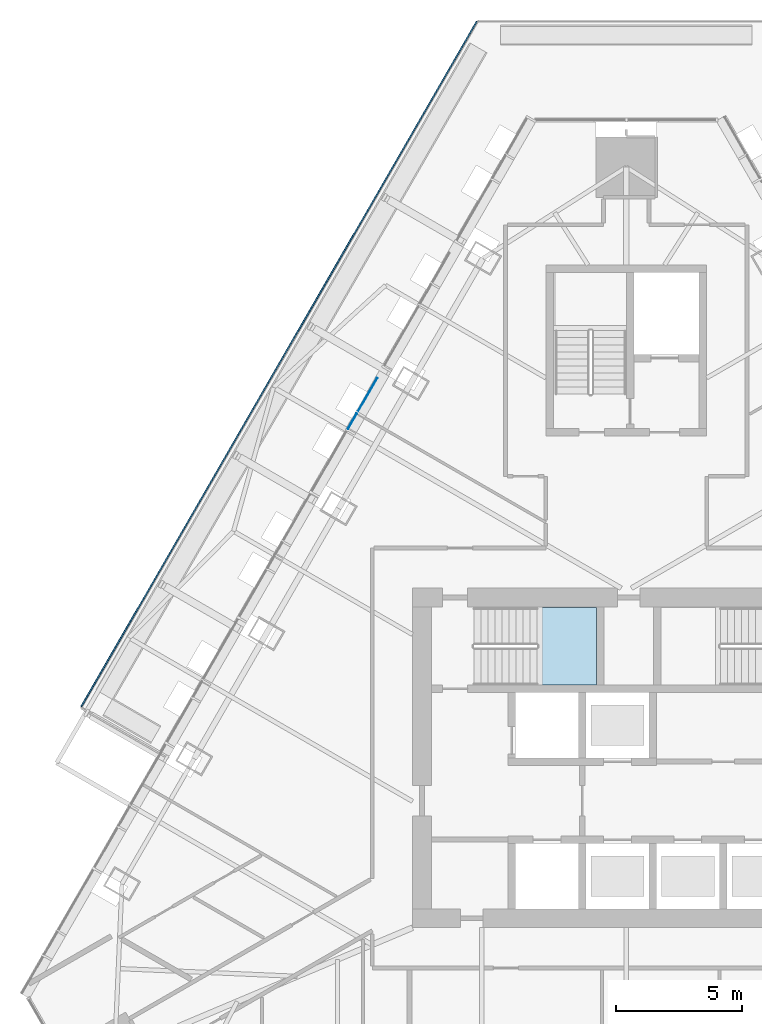
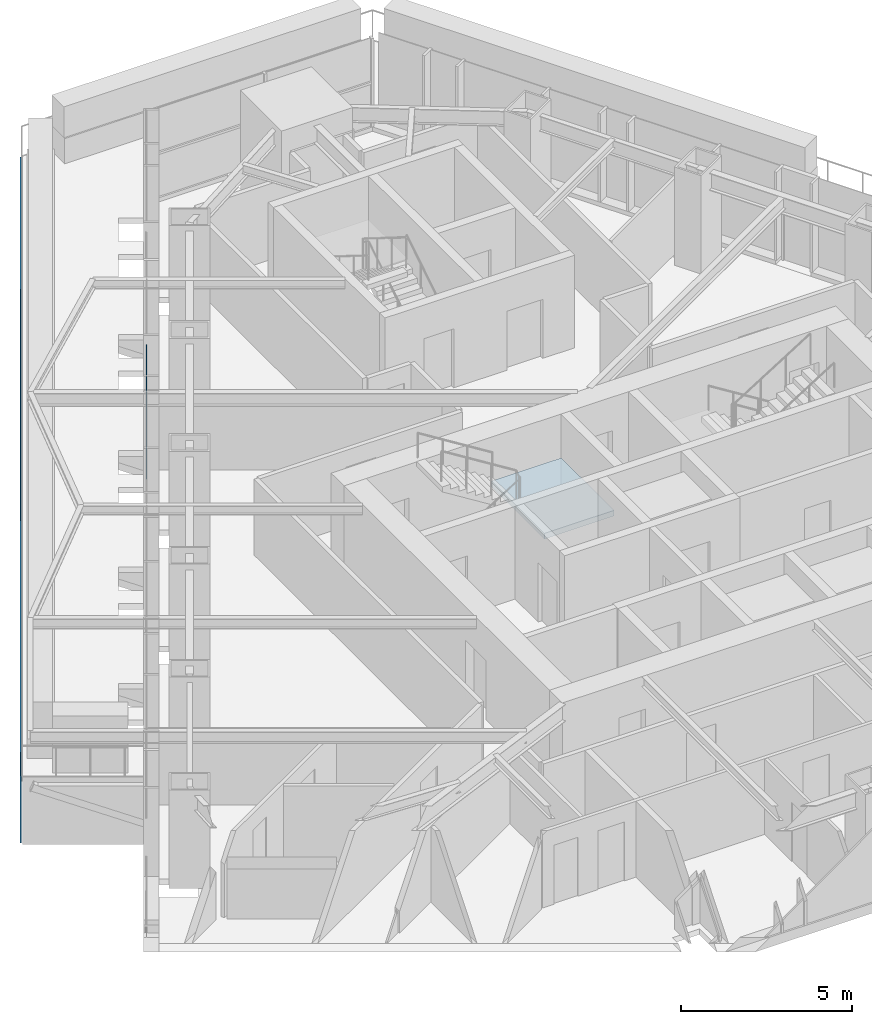
# One storey, part 7 of 16: 3 plates, 1 slab, 2 elements without a shape of their own.
"""IFC4 building model written with IfcOpenShell, lengths in metres."""

from ifc_helpers import new_model, si_unit, direction, frame, origin, place, context, subcontext, project, spatial, polyline, outline, extrude, material, layer, layer_set, type_object, element, aggregate, save


model = new_model("IFC4")

# Units and contexts
model_context = context("Model", 3, precision=1e-05, world=origin(), true_north=direction((0.0, 1.0)))
body_context = subcontext(model_context, "Body", "Model", "MODEL_VIEW")
ifc_project = project(units=[si_unit("LENGTHUNIT", "METRE"), si_unit("AREAUNIT", "SQUARE_METRE"), si_unit("VOLUMEUNIT", "CUBIC_METRE"), si_unit("PLANEANGLEUNIT", "RADIAN"), si_unit("MASSUNIT", "GRAM", prefix="KILO")], contexts=[model_context])

# Site, building, storey
site_placement = place(None, origin())
site = spatial("IfcSite", under=ifc_project, at=site_placement, CompositionType="ELEMENT")
building_placement = place(site_placement, origin())
building = spatial("IfcBuilding", under=site, at=building_placement, Name="Firuza Gate Tower and Library", CompositionType="ELEMENT")
storey_placement = place(building_placement, frame((0.0, 0.0, 319.60009765625)))
storey = spatial("IfcBuildingStorey", under=building, at=storey_placement, Name="L78", CompositionType="ELEMENT", Elevation=319.60009765625)

# Curtain wall, plates
ifc_material_1 = material(Name="Aluminium 6063-T6", Category="aluminium")
ifc_layer_1 = layer(ifc_material_1, 0.14990234375)
ifc_layer_set_1 = layer_set([ifc_layer_1], Name="Unitised curtain wall, residences")
curtain_wall_type = type_object("IfcCurtainWallType", Name="Unitised curtain wall, residences", PredefinedType="NOTDEFINED", material=ifc_layer_set_1)
placement = place(storey_placement, origin())
curtain_wall = element("IfcCurtainWall", 1, at=placement, inside=storey, type_object=curtain_wall_type, Name="CW3 L78 W face", PredefinedType="NOTDEFINED")
ifc_material_2 = material(Name="Fritted glass", Category="glass")
ifc_layer_2 = layer(ifc_material_2, 0.030029296875)
ifc_layer_set_2 = layer_set([ifc_layer_2], Name="Fritted glass unit, residences")
plate_type_1 = type_object("IfcPlateType", Name="Fritted glass unit, residences", PredefinedType="CURTAIN_PANEL", material=ifc_layer_set_2)
plate_1_placement = place(storey_placement, frame((64.271240234375, 88.705078125, 0.14990234375), z_axis=(-0.8659214778, 0.500179961898, 0.0), x_axis=(-0.500179961898, -0.8659214778, 0.0)))
plate_1 = element("IfcPlate", 2, at=plate_1_placement, type_object=plate_type_1, Name="Glass unit", PredefinedType="CURTAIN_PANEL", context=body_context, shape_type="SweptSolid", body=[
    extrude(outline(polyline([(0.0, 0.0), (0.7082411808955441, 0.0), (0.7082411808955441, 3.14990234375), (0.0, 3.14990234375), (0.0, 0.0)])), origin(), (0.0, 0.0, -1.0), 0.030029296875),
])
ifc_material_3 = material(Name="Glazed ceramic tile")
ifc_layer_3 = layer(ifc_material_3, 0.030029296875)
ifc_layer_set_3 = layer_set([ifc_layer_3], Name="Opaque ceramic panel, residences")
plate_type_2 = type_object("IfcPlateType", Name="Opaque ceramic panel, residences", PredefinedType="CURTAIN_PANEL", material=ifc_layer_set_3)
plate_2_placement = place(storey_placement, frame((65.08349609375, 90.11181640625, 0.14990234375), z_axis=(-0.865977637699, 0.500082724161, 0.0), x_axis=(-0.500082724161, -0.865977637699, 0.0)))
plate_2 = element("IfcPlate", 3, at=plate_2_placement, type_object=plate_type_2, Name="Opaque ceramic panel", PredefinedType="CURTAIN_PANEL", context=body_context, shape_type="SweptSolid", body=[
    extrude(outline(polyline([(0.0, 0.0), (1.544666312549146, 0.0), (1.544666312549146, 3.14990234375), (0.0, 3.14990234375), (0.0, 0.0)])), origin(), (0.0, 0.0, -1.0), 0.030029296875),
])
aggregate(curtain_wall, [plate_2, plate_1])

# Stair, slab
ifc_material_4 = material(Name="Concrete C35/45", Category="concrete")
stair_type = type_object("IfcStairType", Name="Exit stair ST8", PredefinedType="HALF_TURN_STAIR", material=ifc_material_4)
stair = element("IfcStair", 4, at=placement, inside=storey, type_object=stair_type, Name="L78 Stair ST1", PredefinedType="HALF_TURN_STAIR")
ifc_material_5 = material(Name="Concrete C35/45", Category="concrete")
ifc_layer_4 = layer(ifc_material_5, 0.199951171875)
ifc_layer_set_4 = layer_set([ifc_layer_4], Name="Stair landing 200")
slab_type = type_object("IfcSlabType", Name="Stair landing 200", PredefinedType="LANDING", material=ifc_layer_set_4)
slab_placement = place(storey_placement, frame((0.0, 0.0, 1.5498046875)))
slab = element("IfcSlab", 5, at=slab_placement, type_object=slab_type, Name="ST1 landing 1", PredefinedType="LANDING", context=body_context, shape_type="SweptSolid", body=[
    extrude(outline(polyline([(71.4599609375, 77.89990234375), (73.81005859375, 77.89990234375), (73.81005859375, 80.97998046875), (71.4599609375, 80.97998046875), (71.4599609375, 77.89990234375)])), origin(), (0.0, 0.0, 1.0), 0.2001953125),
])
aggregate(stair, [slab])

# Plate
ifc_material_6 = material(Name="Aluminium 6063-T6", Category="aluminium")
ifc_layer_5 = layer(ifc_material_6, 0.050048828125)
ifc_layer_set_5 = layer_set([ifc_layer_5], Name="Tray fascia panel 50")
plate_type_3 = type_object("IfcPlateType", Name="Tray fascia panel 50", PredefinedType="SHEET", material=ifc_layer_set_5)
plate_3_placement = place(storey_placement, frame((69.031982421875, 104.2919921875, -2.400146484375), z_axis=(-0.866032682294, 0.49998739304, 0.0), x_axis=(-0.49998739304, -0.866032682294, 0.0)))
element("IfcPlate", 6, at=plate_3_placement, inside=storey, type_object=plate_type_3, Name="Tray fascia L78 3", PredefinedType="SHEET", context=body_context, shape_type="SweptSolid", body=[
    extrude(outline(polyline([(0.0, 0.0), (31.454894663699996, 0.0), (31.454894663699996, 2.4001464843750004), (0.0, 2.4001464843750004), (0.0, 0.0)])), origin(), (0.0, 0.0, -1.0), 0.050048828125),
])

save(model, "model.ifc")
